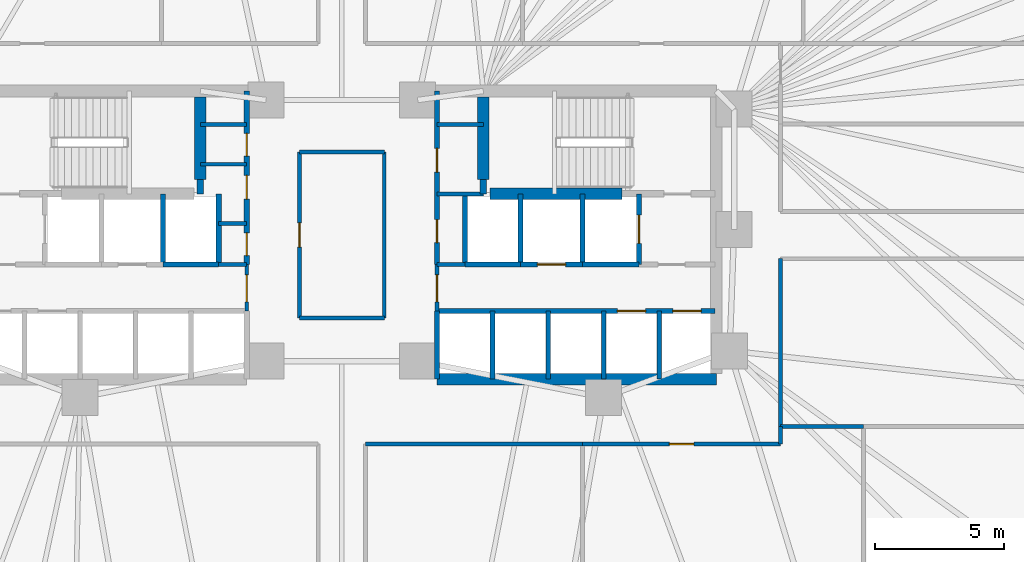
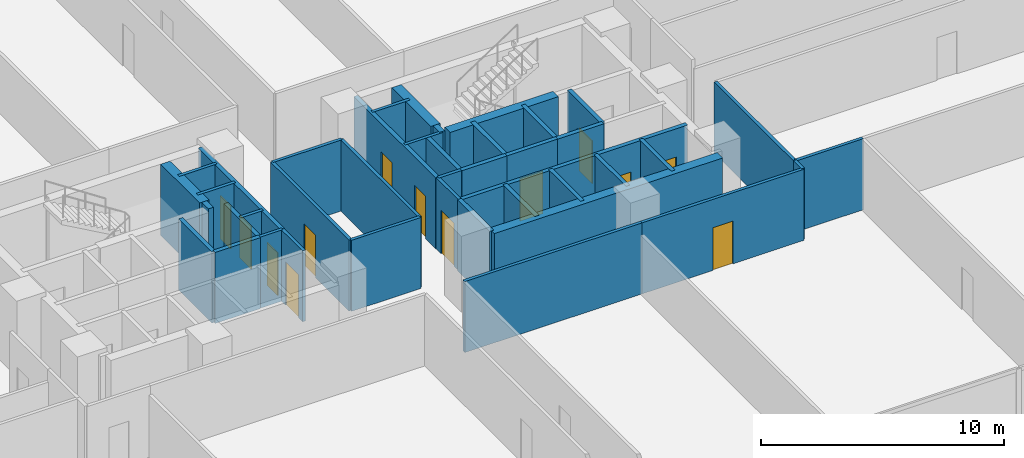
# One storey, part 13 of 17: 42 walls, 13 doors, 13 openings.
"""IFC4 building model written with IfcOpenShell, lengths in metres."""

from ifc_helpers import new_model, si_unit, direction, frame, frame_2d, origin, place, context, subcontext, project, spatial, rectangle, extrude, material, layer, layer_set, type_object, element, fill, save


model = new_model("IFC4")

# Units and contexts
model_context = context("Model", 3, precision=1e-05, world=origin(), true_north=direction((0.0, 1.0)))
body_context = subcontext(model_context, "Body", "Model", "MODEL_VIEW")
ifc_project = project(units=[si_unit("LENGTHUNIT", "METRE"), si_unit("AREAUNIT", "SQUARE_METRE"), si_unit("VOLUMEUNIT", "CUBIC_METRE"), si_unit("PLANEANGLEUNIT", "RADIAN"), si_unit("MASSUNIT", "GRAM", prefix="KILO")], contexts=[model_context])

# Site, building, storey
site_placement = place(None, origin())
site = spatial("IfcSite", under=ifc_project, at=site_placement, CompositionType="ELEMENT")
building_placement = place(site_placement, origin())
building = spatial("IfcBuilding", under=site, at=building_placement, Name="Menara Jurai Vektor", CompositionType="ELEMENT")
storey_placement = place(building_placement, frame((0.0, 0.0, 52.199951171875)))
storey = spatial("IfcBuildingStorey", under=building, at=storey_placement, Name="L12", CompositionType="ELEMENT", Elevation=52.199951171875)

# Walls
ifc_material_1 = material(Name="Concrete C40/50", Category="concrete")
ifc_layer_1 = layer(ifc_material_1, 0.25)
ifc_layer_set_1 = layer_set([ifc_layer_1], Name="Concrete C40/50")
wall_type_1 = type_object("IfcWallType", Name="INT-WALL-CORE-250", PredefinedType="STANDARD", material=ifc_layer_set_1)
for number, where, z_axis, x_axis, name in (
    (1, (-5.5, 1.60009765625, 0.0), (0.0, 0.0, 1.0), (0.0, 1.0, 0.0), "Interior Wall IW-250 L12"),
    (2, (5.5, 1.60009765625, 0.0), (0.0, 0.0, 1.0), (0.0, 1.0, 0.0), "Interior Wall IW-250 L12"),
):
    element("IfcWall", number, at=place(storey_placement, frame(where, z_axis=z_axis, x_axis=x_axis)), inside=storey, type_object=wall_type_1, Name=name, PredefinedType="STANDARD", context=body_context, shape_type="SweptSolid", body=[
        extrude(rectangle(XDim=0.5498046875, YDim=0.25, at=frame_2d((0.27490234375, 0.0))), origin(), (0.0, 0.0, 1.0), 3.574951171875),
    ])

# Wall, opening, door
wall_1_placement = place(storey_placement, frame((11.550048828125, -1.14990234375, 0.0), z_axis=(0.0, 0.0, 1.0), x_axis=(0.0, 1.0, 0.0)))
wall_1 = element("IfcWall", 3, at=wall_1_placement, inside=storey, type_object=wall_type_1, Name="Interior Wall IW-250 L12", PredefinedType="STANDARD", context=body_context, shape_type="SweptSolid", body=[
    extrude(rectangle(XDim=2.75, YDim=0.199951171875, at=frame_2d((1.375, 0.0))), origin(), (0.0, 0.0, 1.0), 3.574951171875),
])
opening_1_placement = place(wall_1_placement, frame((0.824951171875, 0.0, 0.0)))
opening_1 = element("IfcOpeningElement", 4, at=opening_1_placement, cuts=wall_1, Name="Opening LD-L12-FL2", PredefinedType="OPENING", context=body_context, shape_type="SweptSolid", body=[
    extrude(rectangle(XDim=1.10009765625, YDim=2.14990234375, at=frame_2d((0.550048828125, 1.074951171875))), frame((0.0, 0.10986328125, 0.0), z_axis=(0.0, -1.0, 0.0), x_axis=(1.0, 0.0, 0.0)), (0.0, 0.0, 1.0), 0.219970703125),
])
ifc_material_2 = material(Name="Stainless Steel Sliding Lift Landing Door", Category="steel")
door_type_1 = type_object("IfcDoorType", Name="DR-LIFT-FIRE-1100", OperationType="NOTDEFINED", PredefinedType="DOOR", material=ifc_material_2)
door_1_placement = place(opening_1_placement, origin())
door_1 = element("IfcDoor", 5, at=door_1_placement, inside=storey, type_object=door_type_1, Name="Lift Landing Door FL2 L12", OperationType="SLIDING_TO_RIGHT", OverallHeight=2.14990234375, OverallWidth=1.10009765625, PredefinedType="DOOR", context=body_context, shape_type="SweptSolid", body=[
    extrude(rectangle(XDim=1.10009765625, YDim=2.14990234375, at=frame_2d((0.550048828125, 1.074951171875))), frame((0.0, 0.02490234375, 0.0), z_axis=(0.0, -1.0, 0.0), x_axis=(1.0, 0.0, 0.0)), (0.0, 0.0, 1.0), 0.050048828125),
])
fill(opening_1, door_1)

# Walls
wall_2_placement = place(storey_placement, frame((9.35009765625, -1.14990234375, 0.0), z_axis=(0.0, 0.0, 1.0), x_axis=(0.0, 1.0, 0.0)))
element("IfcWall", 6, at=wall_2_placement, inside=storey, type_object=wall_type_1, Name="Interior Wall IW-250 L12", PredefinedType="STANDARD", context=body_context, shape_type="SweptSolid", body=[
    extrude(rectangle(XDim=2.75, YDim=0.199951171875, at=frame_2d((1.375, 0.0))), origin(), (0.0, 0.0, 1.0), 3.574951171875),
])
wall_3_placement = place(storey_placement, frame((9.35009765625, -1.14990234375, 0.0), z_axis=(0.0, 0.0, 1.0), x_axis=(1.0, 0.0, 0.0)))
element("IfcWall", 7, at=wall_3_placement, inside=storey, type_object=wall_type_1, Name="Interior Wall IW-250 L12", PredefinedType="STANDARD", context=body_context, shape_type="SweptSolid", body=[
    extrude(rectangle(XDim=2.199951171875, YDim=0.199951171875, at=frame_2d((1.10009765625, 0.0))), origin(), (0.0, 0.0, 1.0), 3.574951171875),
])

# Wall, opening, door
ifc_material_3 = material(Name="Gypsum Fireboard Partition", Category="gypsum")
ifc_layer_2 = layer(ifc_material_3, 0.14990234375)
ifc_layer_set_2 = layer_set([ifc_layer_2], Name="Gypsum Fireboard Partition")
wall_type_2 = type_object("IfcWallType", Name="INT-WALL-CORR-150", PredefinedType="PARTITIONING", material=ifc_layer_set_2)
wall_4_placement = place(storey_placement, frame((-3.699951171875, -2.949951171875, 0.0), z_axis=(0.0, 0.0, 1.0), x_axis=(0.0, 1.0, 0.0)))
wall_4 = element("IfcWall", 8, at=wall_4_placement, inside=storey, type_object=wall_type_2, Name="Interior Wall IW-150 L12", PredefinedType="PARTITIONING", context=body_context, shape_type="SweptSolid", body=[
    extrude(rectangle(XDim=1.800048828125, YDim=0.14990234375, at=frame_2d((0.89990234375, 0.0))), origin(), (0.0, 0.0, 1.0), 3.574951171875),
])
opening_2_placement = place(wall_4_placement, frame((0.35009765625, 0.0, 0.0)))
opening_2 = element("IfcOpeningElement", 9, at=opening_2_placement, cuts=wall_4, Name="Opening D-L12-LLW", PredefinedType="OPENING", context=body_context, shape_type="SweptSolid", body=[
    extrude(rectangle(XDim=1.050048828125, YDim=2.179931640625, at=frame_2d((0.52490234375, 1.08984375))), frame((0.0, 0.0849609375, 0.0), z_axis=(0.0, -1.0, 0.0), x_axis=(1.0, 0.0, 0.0)), (0.0, 0.0, 1.0), 0.169921875),
])
ifc_material_4 = material(Name="Fire-Rated Timber Door", Category="wood")
door_type_2 = type_object("IfcDoorType", Name="DR-LOBBY-1050", OperationType="NOTDEFINED", PredefinedType="DOOR", material=ifc_material_4)
door_2_placement = place(opening_2_placement, origin())
door_2 = element("IfcDoor", 10, at=door_2_placement, inside=storey, type_object=door_type_2, Name="Lift Lobby Corridor Door W L12", OperationType="SINGLE_SWING_LEFT", OverallHeight=2.179931640625, OverallWidth=1.050048828125, PredefinedType="DOOR", context=body_context, shape_type="SweptSolid", body=[
    extrude(rectangle(XDim=1.050048828125, YDim=2.179931640625, at=frame_2d((0.52490234375, 1.08984375))), frame((0.0, 0.02490234375, 0.0), z_axis=(0.0, -1.0, 0.0), x_axis=(1.0, 0.0, 0.0)), (0.0, 0.0, 1.0), 0.050048828125),
])
fill(opening_2, door_2)

# Wall
wall_5_placement = place(storey_placement, frame((-4.7900390625, -1.14990234375, 0.0), z_axis=(0.0, 0.0, 1.0), x_axis=(1.0, 0.0, 0.0)))
element("IfcWall", 11, at=wall_5_placement, inside=storey, type_object=wall_type_2, Name="Interior Wall IW-150 L12", PredefinedType="PARTITIONING", context=body_context, shape_type="SweptSolid", body=[
    extrude(rectangle(XDim=1.090087890625, YDim=0.14990234375, at=frame_2d((0.544921875, 0.0))), origin(), (0.0, 0.0, 1.0), 3.574951171875),
])

# Wall, opening, door
wall_6_placement = place(storey_placement, frame((3.699951171875, -2.949951171875, 0.0), z_axis=(0.0, 0.0, 1.0), x_axis=(0.0, 1.0, 0.0)))
wall_6 = element("IfcWall", 12, at=wall_6_placement, inside=storey, type_object=wall_type_2, Name="Interior Wall IW-150 L12", PredefinedType="PARTITIONING", context=body_context, shape_type="SweptSolid", body=[
    extrude(rectangle(XDim=1.800048828125, YDim=0.14990234375, at=frame_2d((0.89990234375, 0.0))), origin(), (0.0, 0.0, 1.0), 3.574951171875),
])
opening_3_placement = place(wall_6_placement, frame((0.35009765625, 0.0, 0.0)))
opening_3 = element("IfcOpeningElement", 13, at=opening_3_placement, cuts=wall_6, Name="Opening D-L12-LLE", PredefinedType="OPENING", context=body_context, shape_type="SweptSolid", body=[
    extrude(rectangle(XDim=1.050048828125, YDim=2.179931640625, at=frame_2d((0.52490234375, 1.08984375))), frame((0.0, 0.0849609375, 0.0), z_axis=(0.0, -1.0, 0.0), x_axis=(1.0, 0.0, 0.0)), (0.0, 0.0, 1.0), 0.169921875),
])
door_3_placement = place(opening_3_placement, frame((1.050048828125, 0.0, 0.0), z_axis=(0.0, 0.0, 1.0), x_axis=(-1.0, 0.0, 0.0)))
door_3 = element("IfcDoor", 14, at=door_3_placement, inside=storey, type_object=door_type_2, Name="Lift Lobby Corridor Door E L12", OperationType="SINGLE_SWING_RIGHT", OverallHeight=2.179931640625, OverallWidth=1.050048828125, PredefinedType="DOOR", context=body_context, shape_type="SweptSolid", body=[
    extrude(rectangle(XDim=1.050048828125, YDim=2.179931640625, at=frame_2d((0.52490234375, 1.08984375))), frame((0.0, 0.02490234375, 0.0), z_axis=(0.0, -1.0, 0.0), x_axis=(1.0, 0.0, 0.0)), (0.0, 0.0, 1.0), 0.050048828125),
])
fill(opening_3, door_3)

# Walls
wall_7_placement = place(storey_placement, frame((3.699951171875, -1.14990234375, 0.0), z_axis=(0.0, 0.0, 1.0), x_axis=(1.0, 0.0, 0.0)))
element("IfcWall", 15, at=wall_7_placement, inside=storey, type_object=wall_type_2, Name="Interior Wall IW-150 L12", PredefinedType="PARTITIONING", context=body_context, shape_type="SweptSolid", body=[
    extrude(rectangle(XDim=1.090087890625, YDim=0.14990234375, at=frame_2d((0.544921875, 0.0))), origin(), (0.0, 0.0, 1.0), 3.574951171875),
])
wall_8_placement = place(storey_placement, frame((-5.5, 4.300048828125, 0.0), z_axis=(0.0, 0.0, 1.0), x_axis=(1.0, 0.0, 0.0)))
element("IfcWall", 16, at=wall_8_placement, inside=storey, type_object=wall_type_2, Name="Interior Wall IW-150 L12", PredefinedType="PARTITIONING", context=body_context, shape_type="SweptSolid", body=[
    extrude(rectangle(XDim=1.800048828125, YDim=0.14990234375, at=frame_2d((0.89990234375, 0.0))), origin(), (0.0, 0.0, 1.0), 3.574951171875),
])
wall_9_placement = place(storey_placement, frame((-4.7900390625, 0.449951171875, 0.0), z_axis=(0.0, 0.0, 1.0), x_axis=(1.0, 0.0, 0.0)))
element("IfcWall", 17, at=wall_9_placement, inside=storey, type_object=wall_type_2, Name="Interior Wall IW-150 L12", PredefinedType="PARTITIONING", context=body_context, shape_type="SweptSolid", body=[
    extrude(rectangle(XDim=1.090087890625, YDim=0.14990234375, at=frame_2d((0.544921875, 0.0))), origin(), (0.0, 0.0, 1.0), 3.574951171875),
])
for number, where, z_axis, x_axis, name in (
    (18, (-5.5, 2.75, 0.0), (0.0, 0.0, 1.0), (1.0, 0.0, 0.0), "Interior Wall IW-150 L12"),
    (19, (3.699951171875, 4.300048828125, 0.0), (0.0, 0.0, 1.0), (1.0, 0.0, 0.0), "Interior Wall IW-150 L12"),
    (20, (3.699951171875, 1.60009765625, 0.0), (0.0, 0.0, 1.0), (1.0, 0.0, 0.0), "Interior Wall IW-150 L12"),
):
    element("IfcWall", number, at=place(storey_placement, frame(where, z_axis=z_axis, x_axis=x_axis)), inside=storey, type_object=wall_type_2, Name=name, PredefinedType="PARTITIONING", context=body_context, shape_type="SweptSolid", body=[
        extrude(rectangle(XDim=1.800048828125, YDim=0.14990234375, at=frame_2d((0.89990234375, 0.0))), origin(), (0.0, 0.0, 1.0), 3.574951171875),
    ])

# Wall, opening, door
wall_10_placement = place(storey_placement, frame((-1.64990234375, -3.22998046875, 0.0), z_axis=(0.0, 0.0, 1.0), x_axis=(0.0, 1.0, 0.0)))
wall_10 = element("IfcWall", 21, at=wall_10_placement, inside=storey, type_object=wall_type_2, Name="Interior Wall IW-150 L12", PredefinedType="PARTITIONING", context=body_context, shape_type="SweptSolid", body=[
    extrude(rectangle(XDim=6.4599609375, YDim=0.14990234375, at=frame_2d((3.22998046875, 0.0))), origin(), (0.0, 0.0, 1.0), 3.574951171875),
])
opening_4_placement = place(wall_10_placement, frame((2.7548828125, 0.0, 0.0)))
opening_4 = element("IfcOpeningElement", 22, at=opening_4_placement, cuts=wall_10, Name="Opening D12-06", PredefinedType="OPENING", context=body_context, shape_type="SweptSolid", body=[
    extrude(rectangle(XDim=0.949951171875, YDim=2.14990234375, at=frame_2d((0.47509765625, 1.074951171875))), frame((0.0, 0.0849609375, 0.0), z_axis=(0.0, -1.0, 0.0), x_axis=(1.0, 0.0, 0.0)), (0.0, 0.0, 1.0), 0.169921875),
])
ifc_material_5 = material(Name="Solid Core Timber Fire Door", Category="wood")
door_type_3 = type_object("IfcDoorType", Name="DR-ENTRY-950", OperationType="NOTDEFINED", PredefinedType="DOOR", material=ifc_material_5)
door_4_placement = place(opening_4_placement, origin())
door_4 = element("IfcDoor", 23, at=door_4_placement, inside=storey, type_object=door_type_3, Name="Interior Door D12-06", OperationType="SINGLE_SWING_LEFT", OverallHeight=2.14990234375, OverallWidth=0.949951171875, PredefinedType="DOOR", context=body_context, shape_type="SweptSolid", body=[
    extrude(rectangle(XDim=0.949951171875, YDim=2.14990234375, at=frame_2d((0.47509765625, 1.074951171875))), frame((0.0, 0.02490234375, 0.0), z_axis=(0.0, -1.0, 0.0), x_axis=(1.0, 0.0, 0.0)), (0.0, 0.0, 1.0), 0.050048828125),
])
fill(opening_4, door_4)

# Walls
for number, where, z_axis, x_axis, name in (
    (24, (-1.64990234375, -3.22998046875, 0.0), (0.0, 0.0, 1.0), (1.0, 0.0, 0.0), "Interior Wall IW-150 L12"),
    (25, (-1.64990234375, 3.22998046875, 0.0), (0.0, 0.0, 1.0), (1.0, 0.0, 0.0), "Interior Wall IW-150 L12"),
):
    element("IfcWall", number, at=place(storey_placement, frame(where, z_axis=z_axis, x_axis=x_axis)), inside=storey, type_object=wall_type_2, Name=name, PredefinedType="PARTITIONING", context=body_context, shape_type="SweptSolid", body=[
        extrude(rectangle(XDim=3.2998046875, YDim=0.14990234375, at=frame_2d((1.64990234375, 0.0))), origin(), (0.0, 0.0, 1.0), 3.574951171875),
    ])
wall_11_placement = place(storey_placement, frame((1.64990234375, -3.22998046875, 0.0), z_axis=(0.0, 0.0, 1.0), x_axis=(0.0, 1.0, 0.0)))
element("IfcWall", 26, at=wall_11_placement, inside=storey, type_object=wall_type_2, Name="Interior Wall IW-150 L12", PredefinedType="PARTITIONING", context=body_context, shape_type="SweptSolid", body=[
    extrude(rectangle(XDim=6.4599609375, YDim=0.14990234375, at=frame_2d((3.22998046875, 0.0))), origin(), (0.0, 0.0, 1.0), 3.574951171875),
])
wall_12_placement = place(storey_placement, frame((0.919921875, -8.1298828125, 0.0), z_axis=(0.0, 0.0, 1.0), x_axis=(1.0, 0.0, 0.0)))
element("IfcWall", 27, at=wall_12_placement, inside=storey, type_object=wall_type_2, Name="Interior Wall IW-150 L12", PredefinedType="PARTITIONING", context=body_context, shape_type="SweptSolid", body=[
    extrude(rectangle(XDim=8.440185546875, YDim=0.14990234375, at=frame_2d((4.22021484375, 0.0))), origin(), (0.0, 0.0, 1.0), 3.574951171875),
])

# Wall, opening, door
wall_13_placement = place(storey_placement, frame((9.360107421875, -8.1298828125, 0.0), z_axis=(0.0, 0.0, 1.0), x_axis=(1.0, 0.0, 0.0)))
wall_13 = element("IfcWall", 28, at=wall_13_placement, inside=storey, type_object=wall_type_2, Name="Interior Wall IW-150 L12", PredefinedType="PARTITIONING", context=body_context, shape_type="SweptSolid", body=[
    extrude(rectangle(XDim=7.698974609375, YDim=0.14990234375, at=frame_2d((3.849609375, 0.0))), origin(), (0.0, 0.0, 1.0), 3.574951171875),
])
opening_5_placement = place(wall_13_placement, frame((3.37451171875, 0.0, 0.0)))
opening_5 = element("IfcOpeningElement", 29, at=opening_5_placement, cuts=wall_13, Name="Opening D12-14", PredefinedType="OPENING", context=body_context, shape_type="SweptSolid", body=[
    extrude(rectangle(XDim=0.949951171875, YDim=2.14990234375, at=frame_2d((0.47509765625, 1.074951171875))), frame((0.0, 0.0849609375, 0.0), z_axis=(0.0, -1.0, 0.0), x_axis=(1.0, 0.0, 0.0)), (0.0, 0.0, 1.0), 0.169921875),
])
door_5_placement = place(opening_5_placement, origin())
door_5 = element("IfcDoor", 30, at=door_5_placement, inside=storey, type_object=door_type_3, Name="Interior Door D12-14", OperationType="SINGLE_SWING_LEFT", OverallHeight=2.14990234375, OverallWidth=0.949951171875, PredefinedType="DOOR", context=body_context, shape_type="SweptSolid", body=[
    extrude(rectangle(XDim=0.949951171875, YDim=2.14990234375, at=frame_2d((0.47509765625, 1.074951171875))), frame((0.0, 0.02490234375, 0.0), z_axis=(0.0, -1.0, 0.0), x_axis=(1.0, 0.0, 0.0)), (0.0, 0.0, 1.0), 0.050048828125),
])
fill(opening_5, door_5)

# Walls
wall_14_placement = place(storey_placement, frame((17.05908203125, -8.1298828125, 0.0), z_axis=(0.0, 0.0, 1.0), x_axis=(0.0, 1.0, 0.0)))
element("IfcWall", 31, at=wall_14_placement, inside=storey, type_object=wall_type_2, Name="Interior Wall IW-150 L12", PredefinedType="PARTITIONING", context=body_context, shape_type="SweptSolid", body=[
    extrude(rectangle(XDim=0.679931640625, YDim=0.14990234375, at=frame_2d((0.33984375, 0.0))), origin(), (0.0, 0.0, 1.0), 3.574951171875),
])
wall_15_placement = place(storey_placement, frame((17.05908203125, -7.449951171875, 0.0), z_axis=(0.0, 0.0, 1.0), x_axis=(0.0, 1.0, 0.0)))
element("IfcWall", 32, at=wall_15_placement, inside=storey, type_object=wall_type_2, Name="Interior Wall IW-150 L12", PredefinedType="PARTITIONING", context=body_context, shape_type="SweptSolid", body=[
    extrude(rectangle(XDim=6.530029296875, YDim=0.14990234375, at=frame_2d((3.26513671875, 0.0))), origin(), (0.0, 0.0, 1.0), 3.574951171875),
])
wall_16_placement = place(storey_placement, frame((17.05908203125, -7.449951171875, 0.0), z_axis=(0.0, 0.0, 1.0), x_axis=(1.0, 0.0, 0.0)))
element("IfcWall", 33, at=wall_16_placement, inside=storey, type_object=wall_type_2, Name="Interior Wall IW-150 L12", PredefinedType="PARTITIONING", context=body_context, shape_type="SweptSolid", body=[
    extrude(rectangle(XDim=3.220947265625, YDim=0.14990234375, at=frame_2d((1.6103515625, 0.0))), origin(), (0.0, 0.0, 1.0), 3.574951171875),
])

# Wall, openings, doors
ifc_layer_3 = layer(ifc_material_1, 0.199951171875)
ifc_layer_set_3 = layer_set([ifc_layer_3], Name="Concrete C40/50")
wall_type_3 = type_object("IfcWallType", Name="INT-WALL-SHAFT-200", PredefinedType="STANDARD", material=ifc_layer_set_3)
wall_17_placement = place(storey_placement, frame((-3.699951171875, -1.14990234375, 0.0), z_axis=(0.0, 0.0, 1.0), x_axis=(0.0, 1.0, 0.0)))
wall_17 = element("IfcWall", 34, at=wall_17_placement, inside=storey, type_object=wall_type_3, Name="Interior Wall IW-200 L12", PredefinedType="STANDARD", context=body_context, shape_type="SweptSolid", body=[
    extrude(rectangle(XDim=6.75, YDim=0.199951171875, at=frame_2d((3.375, 0.0))), origin(), (0.0, 0.0, 1.0), 3.574951171875),
])
opening_6_placement = place(wall_17_placement, frame((0.35009765625, 0.0, 0.0)))
opening_6 = element("IfcOpeningElement", 35, at=opening_6_placement, cuts=wall_17, Name="Opening D12-01", PredefinedType="OPENING", context=body_context, shape_type="SweptSolid", body=[
    extrude(rectangle(XDim=0.8798828125, YDim=2.14990234375, at=frame_2d((0.43994140625, 1.074951171875))), frame((0.0, 0.10986328125, 0.0), z_axis=(0.0, -1.0, 0.0), x_axis=(1.0, 0.0, 0.0)), (0.0, 0.0, 1.0), 0.219970703125),
])
opening_7_placement = place(wall_17_placement, frame((2.550048828125, 0.0, 0.0)))
opening_7 = element("IfcOpeningElement", 36, at=opening_7_placement, cuts=wall_17, Name="Opening D12-02", PredefinedType="OPENING", context=body_context, shape_type="SweptSolid", body=[
    extrude(rectangle(XDim=0.919921875, YDim=2.14990234375, at=frame_2d((0.4599609375, 1.074951171875))), frame((0.0, 0.10986328125, 0.0), z_axis=(0.0, -1.0, 0.0), x_axis=(1.0, 0.0, 0.0)), (0.0, 0.0, 1.0), 0.219970703125),
])
opening_8_placement = place(wall_17_placement, frame((4.219970703125, 0.0, 0.0)))
opening_8 = element("IfcOpeningElement", 37, at=opening_8_placement, cuts=wall_17, Name="Opening D12-03", PredefinedType="OPENING", context=body_context, shape_type="SweptSolid", body=[
    extrude(rectangle(XDim=0.8798828125, YDim=2.14990234375, at=frame_2d((0.43994140625, 1.074951171875))), frame((0.0, 0.10986328125, 0.0), z_axis=(0.0, -1.0, 0.0), x_axis=(1.0, 0.0, 0.0)), (0.0, 0.0, 1.0), 0.219970703125),
])
door_6_placement = place(opening_6_placement, origin())
door_6 = element("IfcDoor", 38, at=door_6_placement, inside=storey, type_object=door_type_3, Name="Interior Door D12-01", OperationType="SINGLE_SWING_LEFT", OverallHeight=2.14990234375, OverallWidth=0.8798828125, PredefinedType="DOOR", context=body_context, shape_type="SweptSolid", body=[
    extrude(rectangle(XDim=0.8798828125, YDim=2.14990234375, at=frame_2d((0.43994140625, 1.074951171875))), frame((0.0, 0.02490234375, 0.0), z_axis=(0.0, -1.0, 0.0), x_axis=(1.0, 0.0, 0.0)), (0.0, 0.0, 1.0), 0.050048828125),
])
fill(opening_6, door_6)
door_7_placement = place(opening_7_placement, origin())
door_7 = element("IfcDoor", 39, at=door_7_placement, inside=storey, type_object=door_type_3, Name="Interior Door D12-02", OperationType="SINGLE_SWING_LEFT", OverallHeight=2.14990234375, OverallWidth=0.919921875, PredefinedType="DOOR", context=body_context, shape_type="SweptSolid", body=[
    extrude(rectangle(XDim=0.919921875, YDim=2.14990234375, at=frame_2d((0.4599609375, 1.074951171875))), frame((0.0, 0.02490234375, 0.0), z_axis=(0.0, -1.0, 0.0), x_axis=(1.0, 0.0, 0.0)), (0.0, 0.0, 1.0), 0.050048828125),
])
fill(opening_7, door_7)
door_8_placement = place(opening_8_placement, origin())
door_8 = element("IfcDoor", 40, at=door_8_placement, inside=storey, type_object=door_type_3, Name="Interior Door D12-03", OperationType="SINGLE_SWING_LEFT", OverallHeight=2.14990234375, OverallWidth=0.8798828125, PredefinedType="DOOR", context=body_context, shape_type="SweptSolid", body=[
    extrude(rectangle(XDim=0.8798828125, YDim=2.14990234375, at=frame_2d((0.43994140625, 1.074951171875))), frame((0.0, 0.02490234375, 0.0), z_axis=(0.0, -1.0, 0.0), x_axis=(1.0, 0.0, 0.0)), (0.0, 0.0, 1.0), 0.050048828125),
])
fill(opening_8, door_8)

# Walls
for number, where, z_axis, x_axis, name in (
    (41, (-6.949951171875, -1.14990234375, 0.0), (0.0, 0.0, 1.0), (0.0, 1.0, 0.0), "Interior Wall IW-200 L12"),
    (42, (-4.7900390625, -1.14990234375, 0.0), (0.0, 0.0, 1.0), (0.0, 1.0, 0.0), "Interior Wall IW-200 L12"),
):
    element("IfcWall", number, at=place(storey_placement, frame(where, z_axis=z_axis, x_axis=x_axis)), inside=storey, type_object=wall_type_3, Name=name, PredefinedType="STANDARD", context=body_context, shape_type="SweptSolid", body=[
        extrude(rectangle(XDim=2.75, YDim=0.199951171875, at=frame_2d((1.375, 0.0))), origin(), (0.0, 0.0, 1.0), 3.574951171875),
    ])
wall_18_placement = place(storey_placement, frame((-6.949951171875, -1.14990234375, 0.0), z_axis=(0.0, 0.0, 1.0), x_axis=(1.0, 0.0, 0.0)))
element("IfcWall", 43, at=wall_18_placement, inside=storey, type_object=wall_type_3, Name="Interior Wall IW-200 L12", PredefinedType="STANDARD", context=body_context, shape_type="SweptSolid", body=[
    extrude(rectangle(XDim=2.159912109375, YDim=0.199951171875, at=frame_2d((1.080078125, 0.0))), origin(), (0.0, 0.0, 1.0), 3.574951171875),
])

# Wall, openings, doors
wall_19_placement = place(storey_placement, frame((3.699951171875, -1.14990234375, 0.0), z_axis=(0.0, 0.0, 1.0), x_axis=(0.0, 1.0, 0.0)))
wall_19 = element("IfcWall", 44, at=wall_19_placement, inside=storey, type_object=wall_type_3, Name="Interior Wall IW-200 L12", PredefinedType="STANDARD", context=body_context, shape_type="SweptSolid", body=[
    extrude(rectangle(XDim=6.75, YDim=0.199951171875, at=frame_2d((3.375, 0.0))), origin(), (0.0, 0.0, 1.0), 3.574951171875),
])
opening_9_placement = place(wall_19_placement, frame((3.60009765625, 0.0, 0.0)))
opening_9 = element("IfcOpeningElement", 45, at=opening_9_placement, cuts=wall_19, Name="Opening D12-04", PredefinedType="OPENING", context=body_context, shape_type="SweptSolid", body=[
    extrude(rectangle(XDim=0.919921875, YDim=2.14990234375, at=frame_2d((0.4599609375, 1.074951171875))), frame((0.0, 0.10986328125, 0.0), z_axis=(0.0, -1.0, 0.0), x_axis=(1.0, 0.0, 0.0)), (0.0, 0.0, 1.0), 0.219970703125),
])
opening_10_placement = place(wall_19_placement, frame((0.85009765625, 0.0, 0.0)))
opening_10 = element("IfcOpeningElement", 46, at=opening_10_placement, cuts=wall_19, Name="Opening D12-05", PredefinedType="OPENING", context=body_context, shape_type="SweptSolid", body=[
    extrude(rectangle(XDim=0.89990234375, YDim=2.14990234375, at=frame_2d((0.449951171875, 1.074951171875))), frame((0.0, 0.10986328125, 0.0), z_axis=(0.0, -1.0, 0.0), x_axis=(1.0, 0.0, 0.0)), (0.0, 0.0, 1.0), 0.219970703125),
])
door_9_placement = place(opening_9_placement, origin())
door_9 = element("IfcDoor", 47, at=door_9_placement, inside=storey, type_object=door_type_3, Name="Interior Door D12-04", OperationType="SINGLE_SWING_RIGHT", OverallHeight=2.14990234375, OverallWidth=0.919921875, PredefinedType="DOOR", context=body_context, shape_type="SweptSolid", body=[
    extrude(rectangle(XDim=0.919921875, YDim=2.14990234375, at=frame_2d((0.4599609375, 1.074951171875))), frame((0.0, 0.02490234375, 0.0), z_axis=(0.0, -1.0, 0.0), x_axis=(1.0, 0.0, 0.0)), (0.0, 0.0, 1.0), 0.050048828125),
])
fill(opening_9, door_9)
door_10_placement = place(opening_10_placement, origin())
door_10 = element("IfcDoor", 48, at=door_10_placement, inside=storey, type_object=door_type_3, Name="Interior Door D12-05", OperationType="SINGLE_SWING_RIGHT", OverallHeight=2.14990234375, OverallWidth=0.89990234375, PredefinedType="DOOR", context=body_context, shape_type="SweptSolid", body=[
    extrude(rectangle(XDim=0.89990234375, YDim=2.14990234375, at=frame_2d((0.449951171875, 1.074951171875))), frame((0.0, 0.02490234375, 0.0), z_axis=(0.0, -1.0, 0.0), x_axis=(1.0, 0.0, 0.0)), (0.0, 0.0, 1.0), 0.050048828125),
])
fill(opening_10, door_10)

# Walls
wall_20_placement = place(storey_placement, frame((3.699951171875, -5.60009765625, 0.0), z_axis=(0.0, 0.0, 1.0), x_axis=(0.0, 1.0, 0.0)))
element("IfcWall", 49, at=wall_20_placement, inside=storey, type_object=wall_type_3, Name="Interior Wall IW-200 L12", PredefinedType="STANDARD", context=body_context, shape_type="SweptSolid", body=[
    extrude(rectangle(XDim=2.650146484375, YDim=0.199951171875, at=frame_2d((1.3251953125, 0.0))), origin(), (0.0, 0.0, 1.0), 3.574951171875),
])
wall_21_placement = place(storey_placement, frame((6.949951171875, -1.14990234375, 0.0), z_axis=(0.0, 0.0, 1.0), x_axis=(0.0, 1.0, 0.0)))
element("IfcWall", 50, at=wall_21_placement, inside=storey, type_object=wall_type_3, Name="Interior Wall IW-200 L12", PredefinedType="STANDARD", context=body_context, shape_type="SweptSolid", body=[
    extrude(rectangle(XDim=2.75, YDim=0.199951171875, at=frame_2d((1.375, 0.0))), origin(), (0.0, 0.0, 1.0), 3.574951171875),
])

# Wall, opening, door
wall_22_placement = place(storey_placement, frame((6.949951171875, -1.14990234375, 0.0), z_axis=(0.0, 0.0, 1.0), x_axis=(1.0, 0.0, 0.0)))
wall_22 = element("IfcWall", 51, at=wall_22_placement, inside=storey, type_object=wall_type_3, Name="Interior Wall IW-200 L12", PredefinedType="STANDARD", context=body_context, shape_type="SweptSolid", body=[
    extrude(rectangle(XDim=2.400146484375, YDim=0.199951171875, at=frame_2d((1.2001953125, 0.0))), origin(), (0.0, 0.0, 1.0), 3.574951171875),
])
opening_11_placement = place(wall_22_placement, frame((0.64990234375, 0.0, 0.0)))
opening_11 = element("IfcOpeningElement", 52, at=opening_11_placement, cuts=wall_22, Name="Opening LD-L12-SVL2", PredefinedType="OPENING", context=body_context, shape_type="SweptSolid", body=[
    extrude(rectangle(XDim=1.10009765625, YDim=2.14990234375, at=frame_2d((0.550048828125, 1.074951171875))), frame((0.0, 0.10986328125, 0.0), z_axis=(0.0, -1.0, 0.0), x_axis=(1.0, 0.0, 0.0)), (0.0, 0.0, 1.0), 0.219970703125),
])
ifc_material_6 = material(Name="Anodised Stainless Sliding Lift Landing Door", Category="steel")
door_type_4 = type_object("IfcDoorType", Name="DR-LIFT-PASS-1100", OperationType="NOTDEFINED", PredefinedType="DOOR", material=ifc_material_6)
door_11_placement = place(opening_11_placement, origin())
door_11 = element("IfcDoor", 53, at=door_11_placement, inside=storey, type_object=door_type_4, Name="Lift Landing Door SVL2 L12", OperationType="SLIDING_TO_RIGHT", OverallHeight=2.14990234375, OverallWidth=1.10009765625, PredefinedType="DOOR", context=body_context, shape_type="SweptSolid", body=[
    extrude(rectangle(XDim=1.10009765625, YDim=2.14990234375, at=frame_2d((0.550048828125, 1.074951171875))), frame((0.0, 0.02490234375, 0.0), z_axis=(0.0, -1.0, 0.0), x_axis=(1.0, 0.0, 0.0)), (0.0, 0.0, 1.0), 0.050048828125),
])
fill(opening_11, door_11)

# Walls
wall_23_placement = place(storey_placement, frame((4.7900390625, -1.14990234375, 0.0), z_axis=(0.0, 0.0, 1.0), x_axis=(0.0, 1.0, 0.0)))
element("IfcWall", 54, at=wall_23_placement, inside=storey, type_object=wall_type_3, Name="Interior Wall IW-200 L12", PredefinedType="STANDARD", context=body_context, shape_type="SweptSolid", body=[
    extrude(rectangle(XDim=2.75, YDim=0.199951171875, at=frame_2d((1.375, 0.0))), origin(), (0.0, 0.0, 1.0), 3.574951171875),
])
wall_24_placement = place(storey_placement, frame((4.7900390625, -1.14990234375, 0.0), z_axis=(0.0, 0.0, 1.0), x_axis=(1.0, 0.0, 0.0)))
element("IfcWall", 55, at=wall_24_placement, inside=storey, type_object=wall_type_3, Name="Interior Wall IW-200 L12", PredefinedType="STANDARD", context=body_context, shape_type="SweptSolid", body=[
    extrude(rectangle(XDim=2.159912109375, YDim=0.199951171875, at=frame_2d((1.080078125, 0.0))), origin(), (0.0, 0.0, 1.0), 3.574951171875),
])

# Wall, openings, doors
wall_25_placement = place(storey_placement, frame((3.699951171875, -2.949951171875, 0.0), z_axis=(0.0, 0.0, 1.0), x_axis=(1.0, 0.0, 0.0)))
wall_25 = element("IfcWall", 56, at=wall_25_placement, inside=storey, type_object=wall_type_3, Name="Interior Wall IW-200 L12", PredefinedType="STANDARD", context=body_context, shape_type="SweptSolid", body=[
    extrude(rectangle(XDim=10.800048828125, YDim=0.199951171875, at=frame_2d((5.39990234375, 0.0))), origin(), (0.0, 0.0, 1.0), 3.574951171875),
])
opening_12_placement = place(wall_25_placement, frame((7.010009765625, 0.0, 0.0)))
opening_12 = element("IfcOpeningElement", 57, at=opening_12_placement, cuts=wall_25, Name="Opening LD-L12-PL3", PredefinedType="OPENING", context=body_context, shape_type="SweptSolid", body=[
    extrude(rectangle(XDim=1.10009765625, YDim=2.14990234375, at=frame_2d((0.550048828125, 1.074951171875))), frame((0.0, 0.10986328125, 0.0), z_axis=(0.0, -1.0, 0.0), x_axis=(1.0, 0.0, 0.0)), (0.0, 0.0, 1.0), 0.219970703125),
])
opening_13_placement = place(wall_25_placement, frame((9.169921875, 0.0, 0.0)))
opening_13 = element("IfcOpeningElement", 58, at=opening_13_placement, cuts=wall_25, Name="Opening LD-L12-PL4", PredefinedType="OPENING", context=body_context, shape_type="SweptSolid", body=[
    extrude(rectangle(XDim=1.10009765625, YDim=2.14990234375, at=frame_2d((0.550048828125, 1.074951171875))), frame((0.0, 0.10986328125, 0.0), z_axis=(0.0, -1.0, 0.0), x_axis=(1.0, 0.0, 0.0)), (0.0, 0.0, 1.0), 0.219970703125),
])
door_12_placement = place(opening_12_placement, origin())
door_12 = element("IfcDoor", 59, at=door_12_placement, inside=storey, type_object=door_type_4, Name="Lift Landing Door PL3 L12", OperationType="SLIDING_TO_RIGHT", OverallHeight=2.14990234375, OverallWidth=1.10009765625, PredefinedType="DOOR", context=body_context, shape_type="SweptSolid", body=[
    extrude(rectangle(XDim=1.10009765625, YDim=2.14990234375, at=frame_2d((0.550048828125, 1.074951171875))), frame((0.0, 0.02490234375, 0.0), z_axis=(0.0, -1.0, 0.0), x_axis=(1.0, 0.0, 0.0)), (0.0, 0.0, 1.0), 0.050048828125),
])
fill(opening_12, door_12)
door_13_placement = place(opening_13_placement, origin())
door_13 = element("IfcDoor", 60, at=door_13_placement, inside=storey, type_object=door_type_4, Name="Lift Landing Door PL4 L12", OperationType="SLIDING_TO_LEFT", OverallHeight=2.14990234375, OverallWidth=1.10009765625, PredefinedType="DOOR", context=body_context, shape_type="SweptSolid", body=[
    extrude(rectangle(XDim=1.10009765625, YDim=2.14990234375, at=frame_2d((0.550048828125, 1.074951171875))), frame((0.0, 0.02490234375, 0.0), z_axis=(0.0, -1.0, 0.0), x_axis=(1.0, 0.0, 0.0)), (0.0, 0.0, 1.0), 0.050048828125),
])
fill(opening_13, door_13)

# Walls
wall_26_placement = place(storey_placement, frame((5.860107421875, -5.60009765625, 0.0), z_axis=(0.0, 0.0, 1.0), x_axis=(0.0, 1.0, 0.0)))
element("IfcWall", 61, at=wall_26_placement, inside=storey, type_object=wall_type_3, Name="Interior Wall IW-200 L12", PredefinedType="STANDARD", context=body_context, shape_type="SweptSolid", body=[
    extrude(rectangle(XDim=2.650146484375, YDim=0.199951171875, at=frame_2d((1.3251953125, 0.0))), origin(), (0.0, 0.0, 1.0), 3.574951171875),
])
for number, where, z_axis, x_axis, name in (
    (62, (12.340087890625, -5.60009765625, 0.0), (0.0, 0.0, 1.0), (0.0, 1.0, 0.0), "Interior Wall IW-200 L12"),
    (63, (10.179931640625, -5.60009765625, 0.0), (0.0, 0.0, 1.0), (0.0, 1.0, 0.0), "Interior Wall IW-200 L12"),
    (64, (8.02001953125, -5.60009765625, 0.0), (0.0, 0.0, 1.0), (0.0, 1.0, 0.0), "Interior Wall IW-200 L12"),
):
    element("IfcWall", number, at=place(storey_placement, frame(where, z_axis=z_axis, x_axis=x_axis)), inside=storey, type_object=wall_type_3, Name=name, PredefinedType="STANDARD", context=body_context, shape_type="SweptSolid", body=[
        extrude(rectangle(XDim=2.650146484375, YDim=0.179931640625, at=frame_2d((1.3251953125, 0.0))), origin(), (0.0, 0.0, 1.0), 3.574951171875),
    ])
ifc_material_7 = material(Name="Concrete C60/75", Category="concrete")
ifc_layer_4 = layer(ifc_material_7, 0.449951171875)
ifc_layer_set_4 = layer_set([ifc_layer_4], Name="Concrete C60/75")
wall_type_4 = type_object("IfcWallType", Name="STR-WALL-CORE450", PredefinedType="SHEAR", material=ifc_layer_set_4)
wall_27_placement = place(storey_placement, frame((-5.5, 2.14990234375, 0.0), z_axis=(0.0, 0.0, 1.0), x_axis=(0.0, 1.0, 0.0)))
element("IfcWall", 65, at=wall_27_placement, inside=storey, type_object=wall_type_4, Name="Core Shear Wall CW-W-ST L12", PredefinedType="SHEAR", context=body_context, shape_type="SweptSolid", body=[
    extrude(rectangle(XDim=3.22509765625, YDim=0.449951171875, at=frame_2d((1.612548828125, 0.0))), origin(), (0.0, 0.0, 1.0), 3.574951171875),
])
wall_28_placement = place(storey_placement, frame((3.699951171875, -5.60009765625, 0.0), z_axis=(0.0, 0.0, 1.0), x_axis=(1.0, 0.0, 0.0)))
element("IfcWall", 66, at=wall_28_placement, inside=storey, type_object=wall_type_4, Name="Core Shear Wall CW-E-S L12", PredefinedType="SHEAR", context=body_context, shape_type="SweptSolid", body=[
    extrude(rectangle(XDim=10.860107421875, YDim=0.449951171875, at=frame_2d((5.43017578125, 0.0))), origin(), (0.0, 0.0, 1.0), 3.574951171875),
])
wall_29_placement = place(storey_placement, frame((5.5, 2.14990234375, 0.0), z_axis=(0.0, 0.0, 1.0), x_axis=(0.0, 1.0, 0.0)))
element("IfcWall", 67, at=wall_29_placement, inside=storey, type_object=wall_type_4, Name="Core Shear Wall CW-E-ST L12", PredefinedType="SHEAR", context=body_context, shape_type="SweptSolid", body=[
    extrude(rectangle(XDim=3.22509765625, YDim=0.449951171875, at=frame_2d((1.612548828125, 0.0))), origin(), (0.0, 0.0, 1.0), 3.574951171875),
])
wall_30_placement = place(storey_placement, frame((5.75, 1.60009765625, 0.0), z_axis=(0.0, 0.0, 1.0), x_axis=(1.0, 0.0, 0.0)))
element("IfcWall", 68, at=wall_30_placement, inside=storey, type_object=wall_type_4, Name="Core Shear Wall CW-E-STS L12", PredefinedType="SHEAR", context=body_context, shape_type="SweptSolid", body=[
    extrude(rectangle(XDim=5.14990234375, YDim=0.449951171875, at=frame_2d((2.574951171875, 0.0))), origin(), (0.0, 0.0, 1.0), 3.574951171875),
])

save(model, "model.ifc")
